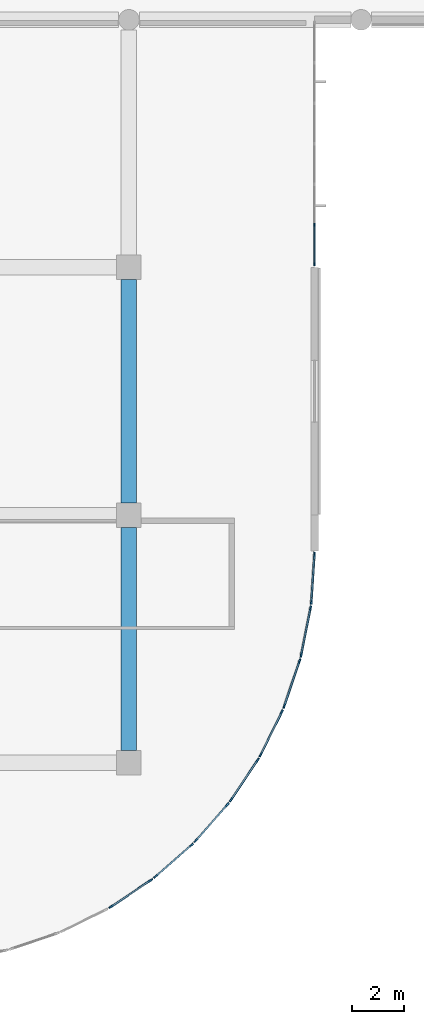
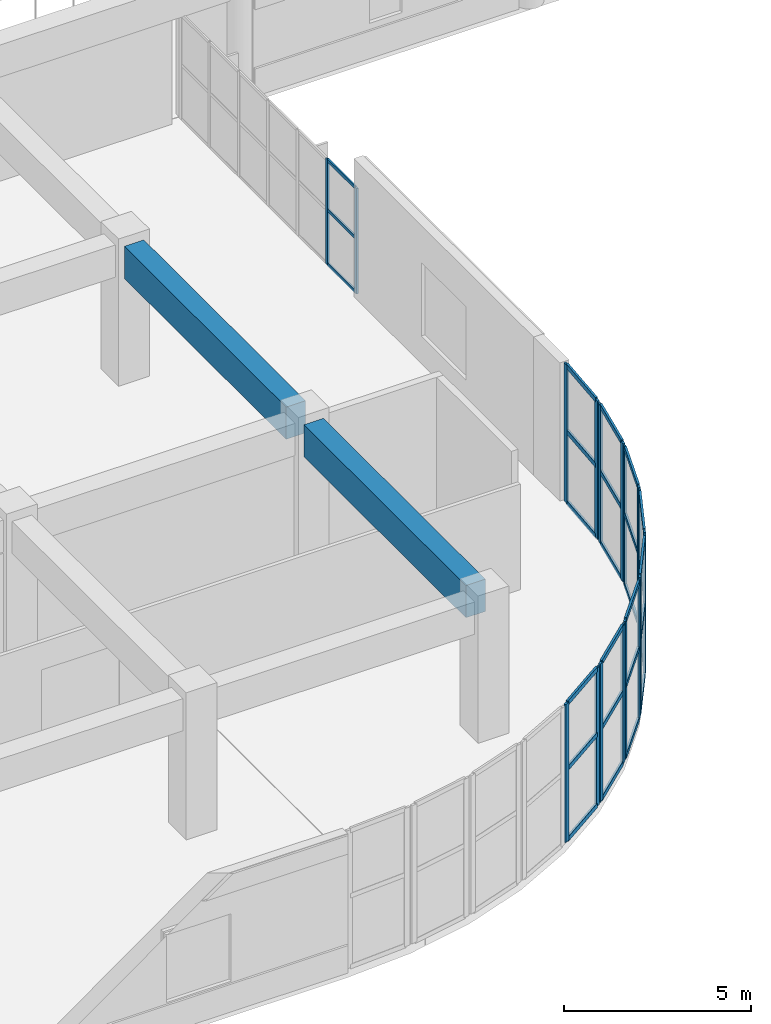
# One storey, part 34 of 86: 45 members, 2 beams, 9 elements without a shape of their own.
"""IFC4 building model written with IfcOpenShell, lengths in metres."""

from ifc_helpers import new_model, si_unit, direction, frame, origin, origin_2d, place, context, subcontext, project, spatial, rectangle, extrude, material, layer, layer_set, material_profile, profile_set, type_object, element, aggregate, save


model = new_model("IFC4")

# Units and contexts
model_context = context("Model", 3, precision=1e-05, world=origin(), true_north=direction((0.0, 1.0)))
body_context = subcontext(model_context, "Body", "Model", "MODEL_VIEW")
ifc_project = project(units=[si_unit("LENGTHUNIT", "METRE"), si_unit("AREAUNIT", "SQUARE_METRE"), si_unit("VOLUMEUNIT", "CUBIC_METRE"), si_unit("PLANEANGLEUNIT", "RADIAN"), si_unit("MASSUNIT", "GRAM", prefix="KILO")], contexts=[model_context])

# Site, building, storey
site_placement = place(None, origin())
site = spatial("IfcSite", under=ifc_project, at=site_placement, CompositionType="ELEMENT")
building_placement = place(site_placement, origin())
building = spatial("IfcBuilding", under=site, at=building_placement, Name="Cendralis Terraced Arcade", CompositionType="ELEMENT")
storey_placement = place(building_placement, frame((0.0, 0.0, 5.39990234375)))
storey = spatial("IfcBuildingStorey", under=building, at=storey_placement, Name="L01", CompositionType="ELEMENT", Elevation=5.39990234375)

# Beams
ifc_material_1 = material(Name="Concrete f'c 35 MPa", Category="concrete")
ifc_material_profile_1 = material_profile(ifc_material_1, rectangle(XDim=0.60009765625, YDim=1.050048828125, at=origin_2d()), Name="RC-BM-600x1050", Category="LoadBearing")
ifc_profile_set_1 = profile_set([ifc_material_profile_1], Name="Concrete f'c 35 MPa")
beam_type = type_object("IfcBeamType", Name="BM-600x1050", PredefinedType="JOIST", material=ifc_profile_set_1)
beam_1_placement = place(storey_placement, frame((130.199951171875, 10.074951171875, 3.97998046875), z_axis=(0.0, 1.0, 0.0), x_axis=(-1.0, 0.0, 0.0)))
element("IfcBeam", 1, at=beam_1_placement, inside=storey, type_object=beam_type, Name="Reinforced Concrete Frame Beam BM-Y-L02-15-B_C", PredefinedType="JOIST", context=body_context, shape_type="SweptSolid", body=[
    extrude(rectangle(XDim=0.60009765625, YDim=1.050048828125, at=origin_2d()), origin(), (0.0, 0.0, 1.0), 8.650146484375),
])
beam_2_placement = place(storey_placement, frame((130.199951171875, 19.675048828125, 3.97998046875), z_axis=(0.0, 1.0, 0.0), x_axis=(-1.0, 0.0, 0.0)))
element("IfcBeam", 2, at=beam_2_placement, inside=storey, type_object=beam_type, Name="Reinforced Concrete Frame Beam BM-Y-L02-15-C_D", PredefinedType="JOIST", context=body_context, shape_type="SweptSolid", body=[
    extrude(rectangle(XDim=0.60009765625, YDim=1.050048828125, at=origin_2d()), origin(), (0.0, 0.0, 1.0), 8.64990234375),
])

# Curtain wall, members
ifc_material_2 = material(Name="Anodised aluminium EN AW-6063 T6", Category="aluminium")
ifc_layer_1 = layer(ifc_material_2, 0.1201171875, Name="CW-STORE-B")
ifc_layer_set_1 = layer_set([ifc_layer_1], Name="Anodised aluminium EN AW-6063 T6")
curtain_wall_type_1 = type_object("IfcCurtainWallType", Name="CW-STORE-B", PredefinedType="USERDEFINED", material=ifc_layer_set_1)
curtain_wall_1_placement = place(storey_placement, origin())
curtain_wall_1 = element("IfcCurtainWall", 3, at=curtain_wall_1_placement, inside=storey, type_object=curtain_wall_type_1, Name="Exterior Storefront Glazing CW-L01-0077", ObjectType="STOREFRONT GLAZING", PredefinedType="USERDEFINED")
ifc_material_profile_2 = material_profile(ifc_material_2, rectangle(XDim=0.054931640625, YDim=0.1201171875, at=origin_2d()), Name="ALU-MUL-55x120")
ifc_profile_set_2 = profile_set([ifc_material_profile_2], Name="Anodised aluminium EN AW-6063 T6")
member_type_1 = type_object("IfcMemberType", Name="CW-STORE-B-MUL", PredefinedType="MULLION", material=ifc_profile_set_2)
member_1_placement = place(storey_placement, frame((137.39990234375, 30.4599609375, 0.0), z_axis=(0.0, 0.0, 1.0), x_axis=(1.0, 0.0, 0.0)))
member_1 = element("IfcMember", 4, at=member_1_placement, type_object=member_type_1, Name="CW-S2 mullion 6", PredefinedType="MULLION", context=body_context, shape_type="SweptSolid", body=[
    extrude(rectangle(XDim=0.054931640625, YDim=0.1201171875, at=origin_2d()), origin(), (0.0, 0.0, 1.0), 3.445068359375),
])
member_2_placement = place(storey_placement, frame((137.39990234375, 28.91748046875, 0.0), z_axis=(0.0, 0.0, 1.0), x_axis=(1.0, 0.0, 0.0)))
member_2 = element("IfcMember", 5, at=member_2_placement, type_object=member_type_1, Name="CW-S2 mullion 7", PredefinedType="MULLION", context=body_context, shape_type="SweptSolid", body=[
    extrude(rectangle(XDim=0.054931640625, YDim=0.1201171875, at=origin_2d()), origin(), (0.0, 0.0, 1.0), 3.445068359375),
])
ifc_material_profile_3 = material_profile(ifc_material_2, rectangle(XDim=0.054931640625, YDim=0.10009765625, at=origin_2d()), Name="ALU-TRN-55x100")
ifc_profile_set_3 = profile_set([ifc_material_profile_3], Name="Anodised aluminium EN AW-6063 T6")
member_type_2 = type_object("IfcMemberType", Name="CW-STORE-B-TRN", PredefinedType="USERDEFINED", material=ifc_profile_set_3)
member_3_placement = place(storey_placement, frame((137.39990234375, 30.4326171875, 0.027587890625), z_axis=(0.0, -1.0, 0.0), x_axis=(1.0, 0.0, 0.0)))
member_3 = element("IfcMember", 6, at=member_3_placement, type_object=member_type_2, Name="CW-S2 transom 6.1", ObjectType="TRANSOM", PredefinedType="USERDEFINED", context=body_context, shape_type="SweptSolid", body=[
    extrude(rectangle(XDim=0.054931640625, YDim=0.10009765625, at=origin_2d()), origin(), (0.0, 0.0, 1.0), 1.487548828125),
])
member_4_placement = place(storey_placement, frame((137.39990234375, 30.4326171875, 1.79150390625), z_axis=(0.0, -1.0, 0.0), x_axis=(1.0, 0.0, 0.0)))
member_4 = element("IfcMember", 7, at=member_4_placement, type_object=member_type_2, Name="CW-S2 transom 6.2", ObjectType="TRANSOM", PredefinedType="USERDEFINED", context=body_context, shape_type="SweptSolid", body=[
    extrude(rectangle(XDim=0.054931640625, YDim=0.10009765625, at=origin_2d()), origin(), (0.0, 0.0, 1.0), 1.487548828125),
])
member_5_placement = place(storey_placement, frame((137.39990234375, 30.4326171875, 3.41748046875), z_axis=(0.0, -1.0, 0.0), x_axis=(1.0, 0.0, 0.0)))
member_5 = element("IfcMember", 8, at=member_5_placement, type_object=member_type_2, Name="CW-S2 transom 6.3", ObjectType="TRANSOM", PredefinedType="USERDEFINED", context=body_context, shape_type="SweptSolid", body=[
    extrude(rectangle(XDim=0.054931640625, YDim=0.10009765625, at=origin_2d()), origin(), (0.0, 0.0, 1.0), 1.487548828125),
])
aggregate(curtain_wall_1, [member_1, member_2, member_3, member_4, member_5])

ifc_layer_2 = layer(ifc_material_2, 0.179931640625, Name="CW-UNIT-A")
ifc_layer_set_2 = layer_set([ifc_layer_2], Name="Anodised aluminium EN AW-6063 T6")
curtain_wall_type_2 = type_object("IfcCurtainWallType", Name="CW-UNIT-A", PredefinedType="USERDEFINED", material=ifc_layer_set_2)
curtain_wall_2_placement = place(storey_placement, origin())
curtain_wall_2 = element("IfcCurtainWall", 9, at=curtain_wall_2_placement, inside=storey, type_object=curtain_wall_type_2, Name="Exterior Unitised Facade CW-L01-0078", ObjectType="UNITISED FACADE", PredefinedType="USERDEFINED")
ifc_material_profile_4 = material_profile(ifc_material_2, rectangle(XDim=0.06494140625, YDim=0.179931640625, at=origin_2d()), Name="ALU-MUL-65x180")
ifc_profile_set_4 = profile_set([ifc_material_profile_4], Name="Anodised aluminium EN AW-6063 T6")
member_type_3 = type_object("IfcMemberType", Name="CW-UNIT-A-MUL", PredefinedType="MULLION", material=ifc_profile_set_4)
member_6_placement = place(storey_placement, frame((137.39208984375, 17.677734375, 0.0), z_axis=(0.0, 0.0, 1.0), x_axis=(0.997859242629, -0.065398256097, 0.0)))
member_6 = element("IfcMember", 10, at=member_6_placement, type_object=member_type_3, Name="CW-U1 mullion 1", PredefinedType="MULLION", context=body_context, shape_type="SweptSolid", body=[
    extrude(rectangle(XDim=0.06494140625, YDim=0.179931640625, at=origin_2d()), origin(), (0.0, 0.0, 1.0), 4.505126953125),
])
member_7_placement = place(storey_placement, frame((137.271240234375, 15.833740234375, 0.0), z_axis=(0.0, 0.0, 1.0), x_axis=(0.997859242629, -0.065398256097, 0.0)))
member_7 = element("IfcMember", 11, at=member_7_placement, type_object=member_type_3, Name="CW-U1 mullion 2", PredefinedType="MULLION", context=body_context, shape_type="SweptSolid", body=[
    extrude(rectangle(XDim=0.06494140625, YDim=0.179931640625, at=origin_2d()), origin(), (0.0, 0.0, 1.0), 4.505126953125),
])

curtain_wall_3_placement = place(storey_placement, origin())
curtain_wall_3 = element("IfcCurtainWall", 12, at=curtain_wall_3_placement, inside=storey, type_object=curtain_wall_type_2, Name="Exterior Unitised Facade CW-L01-0079", ObjectType="UNITISED FACADE", PredefinedType="USERDEFINED")
member_8_placement = place(storey_placement, frame((137.2392578125, 15.59130859375, 0.0), z_axis=(0.0, 0.0, 1.0), x_axis=(0.980793231232, -0.195050346244, 0.0)))
member_8 = element("IfcMember", 13, at=member_8_placement, type_object=member_type_3, Name="CW-U1 mullion 1", PredefinedType="MULLION", context=body_context, shape_type="SweptSolid", body=[
    extrude(rectangle(XDim=0.06494140625, YDim=0.179931640625, at=origin_2d()), origin(), (0.0, 0.0, 1.0), 4.505126953125),
])
member_9_placement = place(storey_placement, frame((136.878662109375, 13.779052734375, 0.0), z_axis=(0.0, 0.0, 1.0), x_axis=(0.980793231232, -0.195050346244, 0.0)))
member_9 = element("IfcMember", 14, at=member_9_placement, type_object=member_type_3, Name="CW-U1 mullion 2", PredefinedType="MULLION", context=body_context, shape_type="SweptSolid", body=[
    extrude(rectangle(XDim=0.06494140625, YDim=0.179931640625, at=origin_2d()), origin(), (0.0, 0.0, 1.0), 4.505126953125),
])

curtain_wall_4_placement = place(storey_placement, origin())
curtain_wall_4 = element("IfcCurtainWall", 15, at=curtain_wall_4_placement, inside=storey, type_object=curtain_wall_type_2, Name="Exterior Unitised Facade CW-L01-0080", ObjectType="UNITISED FACADE", PredefinedType="USERDEFINED")
member_10_placement = place(storey_placement, frame((136.8154296875, 13.54296875, 0.0), z_axis=(0.0, 0.0, 1.0), x_axis=(0.94692813167, -0.321445350645, 0.0)))
member_10 = element("IfcMember", 16, at=member_10_placement, type_object=member_type_3, Name="CW-U1 mullion 1", PredefinedType="MULLION", context=body_context, shape_type="SweptSolid", body=[
    extrude(rectangle(XDim=0.06494140625, YDim=0.179931640625, at=origin_2d()), origin(), (0.0, 0.0, 1.0), 4.505126953125),
])
member_11_placement = place(storey_placement, frame((136.221435546875, 11.79296875, 0.0), z_axis=(0.0, 0.0, 1.0), x_axis=(0.94692813167, -0.321445350645, 0.0)))
member_11 = element("IfcMember", 17, at=member_11_placement, type_object=member_type_3, Name="CW-U1 mullion 2", PredefinedType="MULLION", context=body_context, shape_type="SweptSolid", body=[
    extrude(rectangle(XDim=0.06494140625, YDim=0.179931640625, at=origin_2d()), origin(), (0.0, 0.0, 1.0), 4.505126953125),
])

curtain_wall_5_placement = place(storey_placement, origin())
curtain_wall_5 = element("IfcCurtainWall", 18, at=curtain_wall_5_placement, inside=storey, type_object=curtain_wall_type_2, Name="Exterior Unitised Facade CW-L01-0081", ObjectType="UNITISED FACADE", PredefinedType="USERDEFINED")
member_12_placement = place(storey_placement, frame((136.1279296875, 11.567138671875, 0.0), z_axis=(0.0, 0.0, 1.0), x_axis=(0.896870586522, -0.442293060122, 0.0)))
member_12 = element("IfcMember", 19, at=member_12_placement, type_object=member_type_3, Name="CW-U1 mullion 1", PredefinedType="MULLION", context=body_context, shape_type="SweptSolid", body=[
    extrude(rectangle(XDim=0.06494140625, YDim=0.179931640625, at=origin_2d()), origin(), (0.0, 0.0, 1.0), 4.505126953125),
])
member_13_placement = place(storey_placement, frame((135.310546875, 9.909912109375, 0.0), z_axis=(0.0, 0.0, 1.0), x_axis=(0.896870586522, -0.442293060122, 0.0)))
member_13 = element("IfcMember", 20, at=member_13_placement, type_object=member_type_3, Name="CW-U1 mullion 2", PredefinedType="MULLION", context=body_context, shape_type="SweptSolid", body=[
    extrude(rectangle(XDim=0.06494140625, YDim=0.179931640625, at=origin_2d()), origin(), (0.0, 0.0, 1.0), 4.505126953125),
])

curtain_wall_6_placement = place(storey_placement, origin())
curtain_wall_6 = element("IfcCurtainWall", 21, at=curtain_wall_6_placement, inside=storey, type_object=curtain_wall_type_2, Name="Exterior Unitised Facade CW-L01-0082", ObjectType="UNITISED FACADE", PredefinedType="USERDEFINED")
member_14_placement = place(storey_placement, frame((135.188232421875, 9.6982421875, 0.0), z_axis=(0.0, 0.0, 1.0), x_axis=(0.831494952872, -0.555532306305, 0.0)))
member_14 = element("IfcMember", 22, at=member_14_placement, type_object=member_type_3, Name="CW-U1 mullion 1", PredefinedType="MULLION", context=body_context, shape_type="SweptSolid", body=[
    extrude(rectangle(XDim=0.06494140625, YDim=0.179931640625, at=origin_2d()), origin(), (0.0, 0.0, 1.0), 4.505126953125),
])
member_15_placement = place(storey_placement, frame((134.161865234375, 8.16162109375, 0.0), z_axis=(0.0, 0.0, 1.0), x_axis=(0.831494952872, -0.555532306305, 0.0)))
member_15 = element("IfcMember", 23, at=member_15_placement, type_object=member_type_3, Name="CW-U1 mullion 2", PredefinedType="MULLION", context=body_context, shape_type="SweptSolid", body=[
    extrude(rectangle(XDim=0.06494140625, YDim=0.179931640625, at=origin_2d()), origin(), (0.0, 0.0, 1.0), 4.505126953125),
])

curtain_wall_7_placement = place(storey_placement, origin())
curtain_wall_7 = element("IfcCurtainWall", 24, at=curtain_wall_7_placement, inside=storey, type_object=curtain_wall_type_2, Name="Exterior Unitised Facade CW-L01-0083", ObjectType="UNITISED FACADE", PredefinedType="USERDEFINED")
member_16_placement = place(storey_placement, frame((134.012939453125, 7.9677734375, 0.0), z_axis=(0.0, 0.0, 1.0), x_axis=(0.751782754392, -0.659410866, 0.0)))
member_16 = element("IfcMember", 25, at=member_16_placement, type_object=member_type_3, Name="CW-U1 mullion 1", PredefinedType="MULLION", context=body_context, shape_type="SweptSolid", body=[
    extrude(rectangle(XDim=0.06494140625, YDim=0.179931640625, at=origin_2d()), origin(), (0.0, 0.0, 1.0), 4.505126953125),
])
member_17_placement = place(storey_placement, frame((132.79443359375, 6.578369140625, 0.0), z_axis=(0.0, 0.0, 1.0), x_axis=(0.751782754392, -0.659410866, 0.0)))
member_17 = element("IfcMember", 26, at=member_17_placement, type_object=member_type_3, Name="CW-U1 mullion 2", PredefinedType="MULLION", context=body_context, shape_type="SweptSolid", body=[
    extrude(rectangle(XDim=0.06494140625, YDim=0.179931640625, at=origin_2d()), origin(), (0.0, 0.0, 1.0), 4.505126953125),
])

curtain_wall_8_placement = place(storey_placement, origin())
curtain_wall_8 = element("IfcCurtainWall", 27, at=curtain_wall_8_placement, inside=storey, type_object=curtain_wall_type_2, Name="Exterior Unitised Facade CW-L01-0084", ObjectType="UNITISED FACADE", PredefinedType="USERDEFINED")
member_18_placement = place(storey_placement, frame((132.62158203125, 6.405517578125, 0.0), z_axis=(0.0, 0.0, 1.0), x_axis=(0.659410866, -0.751782754392, 0.0)))
member_18 = element("IfcMember", 28, at=member_18_placement, type_object=member_type_3, Name="CW-U1 mullion 1", PredefinedType="MULLION", context=body_context, shape_type="SweptSolid", body=[
    extrude(rectangle(XDim=0.06494140625, YDim=0.179931640625, at=origin_2d()), origin(), (0.0, 0.0, 1.0), 4.505126953125),
])
member_19_placement = place(storey_placement, frame((131.232421875, 5.18701171875, 0.0), z_axis=(0.0, 0.0, 1.0), x_axis=(0.659410866, -0.751782754392, 0.0)))
member_19 = element("IfcMember", 29, at=member_19_placement, type_object=member_type_3, Name="CW-U1 mullion 2", PredefinedType="MULLION", context=body_context, shape_type="SweptSolid", body=[
    extrude(rectangle(XDim=0.06494140625, YDim=0.179931640625, at=origin_2d()), origin(), (0.0, 0.0, 1.0), 4.505126953125),
])

curtain_wall_9_placement = place(storey_placement, origin())
curtain_wall_9 = element("IfcCurtainWall", 30, at=curtain_wall_9_placement, inside=storey, type_object=curtain_wall_type_2, Name="Exterior Unitised Facade CW-L01-0085", ObjectType="UNITISED FACADE", PredefinedType="USERDEFINED")
member_20_placement = place(storey_placement, frame((131.038330078125, 5.038330078125, 0.0), z_axis=(0.0, 0.0, 1.0), x_axis=(0.555532306305, -0.831494952872, 0.0)))
member_20 = element("IfcMember", 31, at=member_20_placement, type_object=member_type_3, Name="CW-U1 mullion 1", PredefinedType="MULLION", context=body_context, shape_type="SweptSolid", body=[
    extrude(rectangle(XDim=0.06494140625, YDim=0.179931640625, at=origin_2d()), origin(), (0.0, 0.0, 1.0), 4.505126953125),
])
member_21_placement = place(storey_placement, frame((129.501708984375, 4.01171875, 0.0), z_axis=(0.0, 0.0, 1.0), x_axis=(0.555532306305, -0.831494952872, 0.0)))
member_21 = element("IfcMember", 32, at=member_21_placement, type_object=member_type_3, Name="CW-U1 mullion 2", PredefinedType="MULLION", context=body_context, shape_type="SweptSolid", body=[
    extrude(rectangle(XDim=0.06494140625, YDim=0.179931640625, at=origin_2d()), origin(), (0.0, 0.0, 1.0), 4.505126953125),
])

# Member
ifc_material_profile_5 = material_profile(ifc_material_2, rectangle(XDim=0.06494140625, YDim=0.14990234375, at=origin_2d()), Name="ALU-TRN-65x150")
ifc_profile_set_5 = profile_set([ifc_material_profile_5], Name="Anodised aluminium EN AW-6063 T6")
member_type_4 = type_object("IfcMemberType", Name="CW-UNIT-A-TRN", PredefinedType="USERDEFINED", material=ifc_profile_set_5)
member_22_placement = place(storey_placement, frame((137.389892578125, 17.645263671875, 0.03271484375), z_axis=(-0.065455595019, -0.997855483064, 0.0), x_axis=(0.997855483064, -0.065455595019, 0.0)))
member_22 = element("IfcMember", 33, at=member_22_placement, type_object=member_type_4, Name="CW-U1 transom 1.1", ObjectType="TRANSOM", PredefinedType="USERDEFINED", context=body_context, shape_type="SweptSolid", body=[
    extrude(rectangle(XDim=0.06494140625, YDim=0.14990234375, at=origin_2d()), origin(), (0.0, 0.0, 1.0), 1.782958984375),
])

member_23_placement = place(storey_placement, frame((137.389892578125, 17.645263671875, 2.3427734375), z_axis=(-0.065455595019, -0.997855483064, 0.0), x_axis=(0.997855483064, -0.065455595019, 0.0)))
member_23 = element("IfcMember", 34, at=member_23_placement, type_object=member_type_4, Name="CW-U1 transom 1.2", ObjectType="TRANSOM", PredefinedType="USERDEFINED", context=body_context, shape_type="SweptSolid", body=[
    extrude(rectangle(XDim=0.06494140625, YDim=0.14990234375, at=origin_2d()), origin(), (0.0, 0.0, 1.0), 1.782958984375),
])

member_24_placement = place(storey_placement, frame((137.389892578125, 17.645263671875, 4.47265625), z_axis=(-0.065455595019, -0.997855483064, 0.0), x_axis=(0.997855483064, -0.065455595019, 0.0)))
member_24 = element("IfcMember", 35, at=member_24_placement, type_object=member_type_4, Name="CW-U1 transom 1.3", ObjectType="TRANSOM", PredefinedType="USERDEFINED", context=body_context, shape_type="SweptSolid", body=[
    extrude(rectangle(XDim=0.06494140625, YDim=0.14990234375, at=origin_2d()), origin(), (0.0, 0.0, 1.0), 1.782958984375),
])

aggregate(curtain_wall_2, [member_6, member_7, member_22, member_23, member_24])

member_25_placement = place(storey_placement, frame((137.23291015625, 15.5595703125, 0.03271484375), z_axis=(-0.195141646825, -0.980775069868, 0.0), x_axis=(0.980775069868, -0.195141646825, 0.0)))
member_25 = element("IfcMember", 36, at=member_25_placement, type_object=member_type_4, Name="CW-U1 transom 1.1", ObjectType="TRANSOM", PredefinedType="USERDEFINED", context=body_context, shape_type="SweptSolid", body=[
    extrude(rectangle(XDim=0.06494140625, YDim=0.14990234375, at=origin_2d()), origin(), (0.0, 0.0, 1.0), 1.78271484375),
])

member_26_placement = place(storey_placement, frame((137.23291015625, 15.5595703125, 2.3427734375), z_axis=(-0.195141646825, -0.980775069868, 0.0), x_axis=(0.980775069868, -0.195141646825, 0.0)))
member_26 = element("IfcMember", 37, at=member_26_placement, type_object=member_type_4, Name="CW-U1 transom 1.2", ObjectType="TRANSOM", PredefinedType="USERDEFINED", context=body_context, shape_type="SweptSolid", body=[
    extrude(rectangle(XDim=0.06494140625, YDim=0.14990234375, at=origin_2d()), origin(), (0.0, 0.0, 1.0), 1.78271484375),
])

member_27_placement = place(storey_placement, frame((137.23291015625, 15.5595703125, 4.47265625), z_axis=(-0.195141646825, -0.980775069868, 0.0), x_axis=(0.980775069868, -0.195141646825, 0.0)))
member_27 = element("IfcMember", 38, at=member_27_placement, type_object=member_type_4, Name="CW-U1 transom 1.3", ObjectType="TRANSOM", PredefinedType="USERDEFINED", context=body_context, shape_type="SweptSolid", body=[
    extrude(rectangle(XDim=0.06494140625, YDim=0.14990234375, at=origin_2d()), origin(), (0.0, 0.0, 1.0), 1.78271484375),
])

aggregate(curtain_wall_3, [member_8, member_9, member_25, member_26, member_27])

member_28_placement = place(storey_placement, frame((136.804931640625, 13.51220703125, 0.03271484375), z_axis=(-0.321357738098, -0.94695786821, 0.0), x_axis=(0.94695786821, -0.321357738098, 0.0)))
member_28 = element("IfcMember", 39, at=member_28_placement, type_object=member_type_4, Name="CW-U1 transom 1.1", ObjectType="TRANSOM", PredefinedType="USERDEFINED", context=body_context, shape_type="SweptSolid", body=[
    extrude(rectangle(XDim=0.06494140625, YDim=0.14990234375, at=origin_2d()), origin(), (0.0, 0.0, 1.0), 1.782958984375),
])

member_29_placement = place(storey_placement, frame((136.804931640625, 13.51220703125, 2.3427734375), z_axis=(-0.321357738098, -0.94695786821, 0.0), x_axis=(0.94695786821, -0.321357738098, 0.0)))
member_29 = element("IfcMember", 40, at=member_29_placement, type_object=member_type_4, Name="CW-U1 transom 1.2", ObjectType="TRANSOM", PredefinedType="USERDEFINED", context=body_context, shape_type="SweptSolid", body=[
    extrude(rectangle(XDim=0.06494140625, YDim=0.14990234375, at=origin_2d()), origin(), (0.0, 0.0, 1.0), 1.782958984375),
])

member_30_placement = place(storey_placement, frame((136.804931640625, 13.51220703125, 4.47265625), z_axis=(-0.321357738098, -0.94695786821, 0.0), x_axis=(0.94695786821, -0.321357738098, 0.0)))
member_30 = element("IfcMember", 41, at=member_30_placement, type_object=member_type_4, Name="CW-U1 transom 1.3", ObjectType="TRANSOM", PredefinedType="USERDEFINED", context=body_context, shape_type="SweptSolid", body=[
    extrude(rectangle(XDim=0.06494140625, YDim=0.14990234375, at=origin_2d()), origin(), (0.0, 0.0, 1.0), 1.782958984375),
])

aggregate(curtain_wall_4, [member_10, member_11, member_28, member_29, member_30])

member_31_placement = place(storey_placement, frame((136.113525390625, 11.5380859375, 0.03271484375), z_axis=(-0.442277396144, -0.896878311066, 0.0), x_axis=(0.896878311066, -0.442277396144, 0.0)))
member_31 = element("IfcMember", 42, at=member_31_placement, type_object=member_type_4, Name="CW-U1 transom 1.1", ObjectType="TRANSOM", PredefinedType="USERDEFINED", context=body_context, shape_type="SweptSolid", body=[
    extrude(rectangle(XDim=0.06494140625, YDim=0.14990234375, at=origin_2d()), origin(), (0.0, 0.0, 1.0), 1.782958984375),
])

member_32_placement = place(storey_placement, frame((136.113525390625, 11.5380859375, 2.3427734375), z_axis=(-0.442277396144, -0.896878311066, 0.0), x_axis=(0.896878311066, -0.442277396144, 0.0)))
member_32 = element("IfcMember", 43, at=member_32_placement, type_object=member_type_4, Name="CW-U1 transom 1.2", ObjectType="TRANSOM", PredefinedType="USERDEFINED", context=body_context, shape_type="SweptSolid", body=[
    extrude(rectangle(XDim=0.06494140625, YDim=0.14990234375, at=origin_2d()), origin(), (0.0, 0.0, 1.0), 1.782958984375),
])

member_33_placement = place(storey_placement, frame((136.113525390625, 11.5380859375, 4.47265625), z_axis=(-0.442277396144, -0.896878311066, 0.0), x_axis=(0.896878311066, -0.442277396144, 0.0)))
member_33 = element("IfcMember", 44, at=member_33_placement, type_object=member_type_4, Name="CW-U1 transom 1.3", ObjectType="TRANSOM", PredefinedType="USERDEFINED", context=body_context, shape_type="SweptSolid", body=[
    extrude(rectangle(XDim=0.06494140625, YDim=0.14990234375, at=origin_2d()), origin(), (0.0, 0.0, 1.0), 1.782958984375),
])

aggregate(curtain_wall_5, [member_12, member_13, member_31, member_32, member_33])

member_34_placement = place(storey_placement, frame((135.17041015625, 9.671142578125, 0.03271484375), z_axis=(-0.555553126994, -0.831481041929, 0.0), x_axis=(0.831481041929, -0.555553126994, 0.0)))
member_34 = element("IfcMember", 45, at=member_34_placement, type_object=member_type_4, Name="CW-U1 transom 1.1", ObjectType="TRANSOM", PredefinedType="USERDEFINED", context=body_context, shape_type="SweptSolid", body=[
    extrude(rectangle(XDim=0.06494140625, YDim=0.14990234375, at=origin_2d()), origin(), (0.0, 0.0, 1.0), 1.782958984375),
])

member_35_placement = place(storey_placement, frame((135.17041015625, 9.671142578125, 2.3427734375), z_axis=(-0.555553126994, -0.831481041929, 0.0), x_axis=(0.831481041929, -0.555553126994, 0.0)))
member_35 = element("IfcMember", 46, at=member_35_placement, type_object=member_type_4, Name="CW-U1 transom 1.2", ObjectType="TRANSOM", PredefinedType="USERDEFINED", context=body_context, shape_type="SweptSolid", body=[
    extrude(rectangle(XDim=0.06494140625, YDim=0.14990234375, at=origin_2d()), origin(), (0.0, 0.0, 1.0), 1.782958984375),
])

member_36_placement = place(storey_placement, frame((135.17041015625, 9.671142578125, 4.47265625), z_axis=(-0.555553126994, -0.831481041929, 0.0), x_axis=(0.831481041929, -0.555553126994, 0.0)))
member_36 = element("IfcMember", 47, at=member_36_placement, type_object=member_type_4, Name="CW-U1 transom 1.3", ObjectType="TRANSOM", PredefinedType="USERDEFINED", context=body_context, shape_type="SweptSolid", body=[
    extrude(rectangle(XDim=0.06494140625, YDim=0.14990234375, at=origin_2d()), origin(), (0.0, 0.0, 1.0), 1.782958984375),
])

aggregate(curtain_wall_6, [member_14, member_15, member_34, member_35, member_36])

member_37_placement = place(storey_placement, frame((133.991455078125, 7.943115234375, 0.03271484375), z_axis=(-0.659376717373, -0.75181270579, 0.0), x_axis=(0.75181270579, -0.659376717373, 0.0)))
member_37 = element("IfcMember", 48, at=member_37_placement, type_object=member_type_4, Name="CW-U1 transom 1.1", ObjectType="TRANSOM", PredefinedType="USERDEFINED", context=body_context, shape_type="SweptSolid", body=[
    extrude(rectangle(XDim=0.06494140625, YDim=0.14990234375, at=origin_2d()), origin(), (0.0, 0.0, 1.0), 1.78271484375),
])

member_38_placement = place(storey_placement, frame((133.991455078125, 7.943115234375, 2.3427734375), z_axis=(-0.659376717373, -0.75181270579, 0.0), x_axis=(0.75181270579, -0.659376717373, 0.0)))
member_38 = element("IfcMember", 49, at=member_38_placement, type_object=member_type_4, Name="CW-U1 transom 1.2", ObjectType="TRANSOM", PredefinedType="USERDEFINED", context=body_context, shape_type="SweptSolid", body=[
    extrude(rectangle(XDim=0.06494140625, YDim=0.14990234375, at=origin_2d()), origin(), (0.0, 0.0, 1.0), 1.78271484375),
])

member_39_placement = place(storey_placement, frame((133.991455078125, 7.943115234375, 4.47265625), z_axis=(-0.659376717373, -0.75181270579, 0.0), x_axis=(0.75181270579, -0.659376717373, 0.0)))
member_39 = element("IfcMember", 50, at=member_39_placement, type_object=member_type_4, Name="CW-U1 transom 1.3", ObjectType="TRANSOM", PredefinedType="USERDEFINED", context=body_context, shape_type="SweptSolid", body=[
    extrude(rectangle(XDim=0.06494140625, YDim=0.14990234375, at=origin_2d()), origin(), (0.0, 0.0, 1.0), 1.78271484375),
])

aggregate(curtain_wall_7, [member_16, member_17, member_37, member_38, member_39])

member_40_placement = place(storey_placement, frame((132.59716796875, 6.384033203125, 0.03271484375), z_axis=(-0.75181270579, -0.659376717373, 0.0), x_axis=(0.659376717373, -0.75181270579, 0.0)))
member_40 = element("IfcMember", 51, at=member_40_placement, type_object=member_type_4, Name="CW-U1 transom 1.1", ObjectType="TRANSOM", PredefinedType="USERDEFINED", context=body_context, shape_type="SweptSolid", body=[
    extrude(rectangle(XDim=0.06494140625, YDim=0.14990234375, at=origin_2d()), origin(), (0.0, 0.0, 1.0), 1.78271484375),
])

member_41_placement = place(storey_placement, frame((132.59716796875, 6.384033203125, 2.3427734375), z_axis=(-0.75181270579, -0.659376717373, 0.0), x_axis=(0.659376717373, -0.75181270579, 0.0)))
member_41 = element("IfcMember", 52, at=member_41_placement, type_object=member_type_4, Name="CW-U1 transom 1.2", ObjectType="TRANSOM", PredefinedType="USERDEFINED", context=body_context, shape_type="SweptSolid", body=[
    extrude(rectangle(XDim=0.06494140625, YDim=0.14990234375, at=origin_2d()), origin(), (0.0, 0.0, 1.0), 1.78271484375),
])

member_42_placement = place(storey_placement, frame((132.59716796875, 6.384033203125, 4.47265625), z_axis=(-0.75181270579, -0.659376717373, 0.0), x_axis=(0.659376717373, -0.75181270579, 0.0)))
member_42 = element("IfcMember", 53, at=member_42_placement, type_object=member_type_4, Name="CW-U1 transom 1.3", ObjectType="TRANSOM", PredefinedType="USERDEFINED", context=body_context, shape_type="SweptSolid", body=[
    extrude(rectangle(XDim=0.06494140625, YDim=0.14990234375, at=origin_2d()), origin(), (0.0, 0.0, 1.0), 1.78271484375),
])

aggregate(curtain_wall_8, [member_18, member_19, member_40, member_41, member_42])

member_43_placement = place(storey_placement, frame((131.011474609375, 5.020263671875, 0.03271484375), z_axis=(-0.831523298827, -0.555489877053, 0.0), x_axis=(0.555489877053, -0.831523298827, 0.0)))
member_43 = element("IfcMember", 54, at=member_43_placement, type_object=member_type_4, Name="CW-U1 transom 1.1", ObjectType="TRANSOM", PredefinedType="USERDEFINED", context=body_context, shape_type="SweptSolid", body=[
    extrude(rectangle(XDim=0.06494140625, YDim=0.14990234375, at=origin_2d()), origin(), (0.0, 0.0, 1.0), 1.782958984375),
])

member_44_placement = place(storey_placement, frame((131.011474609375, 5.020263671875, 2.3427734375), z_axis=(-0.831523298827, -0.555489877053, 0.0), x_axis=(0.555489877053, -0.831523298827, 0.0)))
member_44 = element("IfcMember", 55, at=member_44_placement, type_object=member_type_4, Name="CW-U1 transom 1.2", ObjectType="TRANSOM", PredefinedType="USERDEFINED", context=body_context, shape_type="SweptSolid", body=[
    extrude(rectangle(XDim=0.06494140625, YDim=0.14990234375, at=origin_2d()), origin(), (0.0, 0.0, 1.0), 1.782958984375),
])

member_45_placement = place(storey_placement, frame((131.011474609375, 5.020263671875, 4.47265625), z_axis=(-0.831523298827, -0.555489877053, 0.0), x_axis=(0.555489877053, -0.831523298827, 0.0)))
member_45 = element("IfcMember", 56, at=member_45_placement, type_object=member_type_4, Name="CW-U1 transom 1.3", ObjectType="TRANSOM", PredefinedType="USERDEFINED", context=body_context, shape_type="SweptSolid", body=[
    extrude(rectangle(XDim=0.06494140625, YDim=0.14990234375, at=origin_2d()), origin(), (0.0, 0.0, 1.0), 1.782958984375),
])

aggregate(curtain_wall_9, [member_20, member_21, member_43, member_44, member_45])

save(model, "model.ifc")
